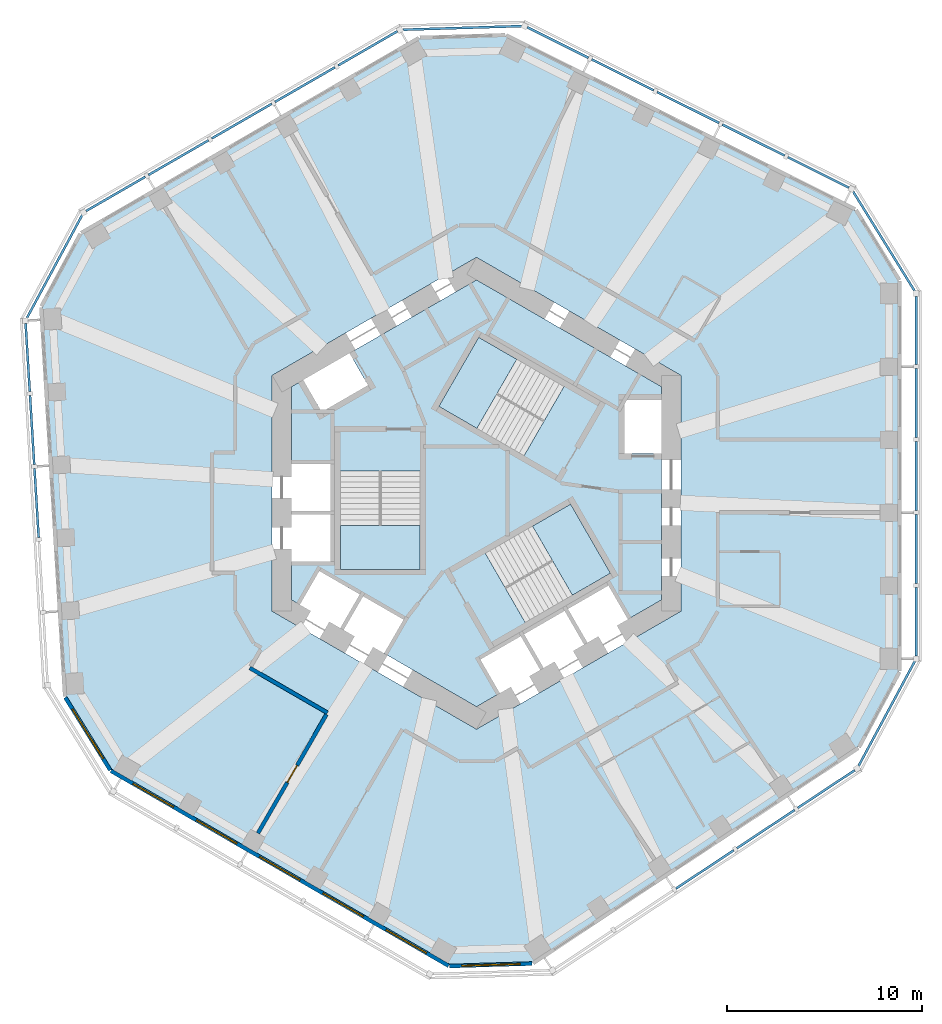
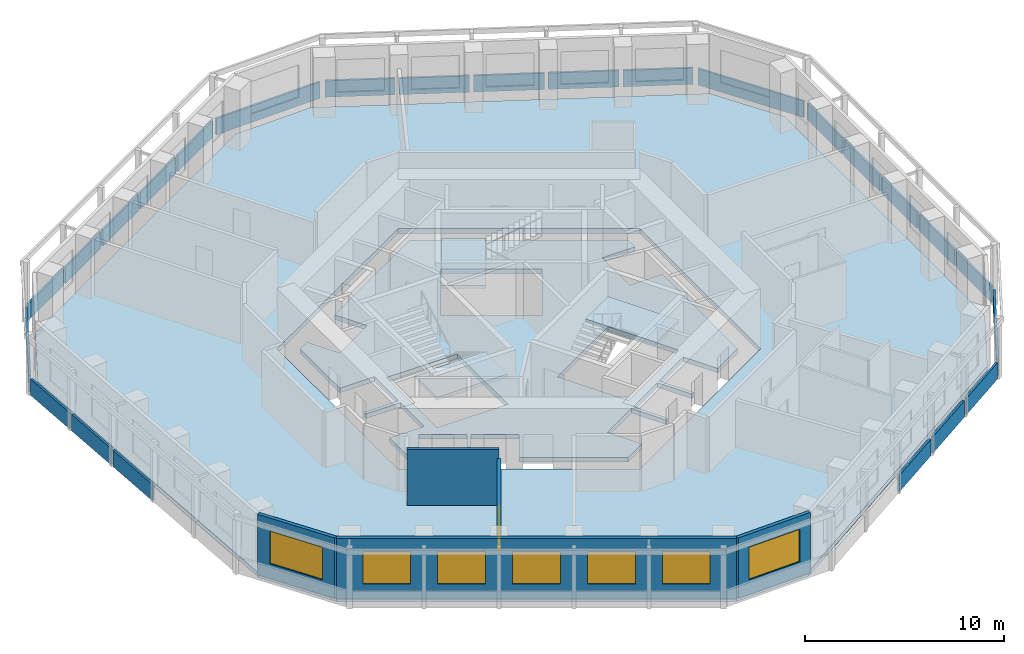
# One storey, part 3 of 10: 25 plates, 7 windows, 5 slabs, 5 walls, 1 door, 8 openings, 12 elements without a shape of their own.
"""IFC4 building model written with IfcOpenShell, lengths in metres."""

from ifc_helpers import new_model, si_unit, direction, frame, frame_2d, origin, origin_2d, place, context, subcontext, project, spatial, polyline, rectangle, outline, extrude, material, layer, layer_set, type_object, element, fill, aggregate, save


model = new_model("IFC4")

# Units and contexts
model_context = context("Model", 3, precision=1e-05, world=origin(), true_north=direction((0.0, 1.0)))
body_context = subcontext(model_context, "Body", "Model", "MODEL_VIEW")
ifc_project = project(units=[si_unit("LENGTHUNIT", "METRE"), si_unit("AREAUNIT", "SQUARE_METRE"), si_unit("VOLUMEUNIT", "CUBIC_METRE"), si_unit("PLANEANGLEUNIT", "RADIAN"), si_unit("MASSUNIT", "GRAM", prefix="KILO")], contexts=[model_context])

# Site, building, storey
site_placement = place(None, origin())
site = spatial("IfcSite", under=ifc_project, at=site_placement, CompositionType="ELEMENT")
building_placement = place(site_placement, origin())
building = spatial("IfcBuilding", under=site, at=building_placement, Name="Vanh Sen Convention Tower", CompositionType="ELEMENT")
storey_placement = place(building_placement, frame((0.0, 0.0, 194.699951171875)))
storey = spatial("IfcBuildingStorey", under=building, at=storey_placement, Name="L48", CompositionType="ELEMENT", Elevation=194.699951171875)

# Slabs
ifc_material_1 = material(Name="Concrete C40/50", Category="concrete")
ifc_layer_1 = layer(ifc_material_1, 0.280029296875)
ifc_layer_set_1 = layer_set([ifc_layer_1], Name="Concrete C40/50")
slab_type_1 = type_object("IfcSlabType", Name="Core slab 280", PredefinedType="FLOOR", material=ifc_layer_set_1)
slab_1_placement = place(storey_placement, frame((0.0, 0.0, -0.280029296875)))
element("IfcSlab", 1, at=slab_1_placement, inside=storey, type_object=slab_type_1, Name="Core slab L48", PredefinedType="FLOOR", context=body_context, shape_type="SweptSolid", body=[
    extrude(outline(polyline([(0.0, 10.9697265625), (9.5, 5.48486328125), (9.5, 4.800048828125), (7.60009765625, 4.800048828125), (7.60009765625, 2.050048828125), (9.5, 2.050048828125), (9.5, -5.48486328125), (7.781005859375, -6.477294921875), (6.781005859375, -4.7451171875), (4.70263671875, -5.9453125), (5.70263671875, -7.67724609375), (5.529296875, -7.777099609375), (4.529296875, -6.045166015625), (2.450927734375, -7.2451171875), (3.450927734375, -8.977294921875), (3.27783203125, -9.0771484375), (2.27783203125, -7.34521484375), (0.19921875, -8.545166015625), (1.19921875, -10.277099609375), (0.0, -10.9697265625), (-4.75, -8.227294921875), (-3.75, -6.4951171875), (-5.82861328125, -5.295166015625), (-6.82861328125, -7.027099609375), (-7.001708984375, -6.92724609375), (-6.001708984375, -5.1953125), (-8.080078125, -3.9951171875), (-9.080078125, -5.727294921875), (-9.5, -5.48486328125), (-9.5, -3.5), (-7.5, -3.5), (-7.5, -1.10009765625), (-9.5, -1.10009765625), (-9.5, -0.89990234375), (-7.5, -0.89990234375), (-7.5, 1.5), (-9.5, 1.5), (-9.5, 5.48486328125), (-8.906982421875, 5.8271484375), (-7.956787109375, 4.181884765625), (-5.575439453125, 5.556884765625), (-6.525390625, 7.2021484375), (0.0, 10.9697265625)]), holes=[polyline([(-7.0, 1.1494140625), (-7.0, -3.909912109375), (-2.89990234375, -3.909912109375), (-2.89990234375, 1.1494140625), (-7.0, 1.1494140625)]), polyline([(2.504638671875, -6.63671875), (6.88623046875, -4.107177734375), (4.836181640625, -0.556396484375), (0.45458984375, -3.086181640625), (2.504638671875, -6.63671875)]), polyline([(0.11376953125, 8.01708984375), (-1.936279296875, 4.466552734375), (2.4453125, 1.936767578125), (4.495361328125, 5.487548828125), (0.11376953125, 8.01708984375)])]), origin(), (0.0, 0.0, 1.0), 0.280029296875),
])
ifc_layer_2 = layer(ifc_material_1, 0.280029296875)
ifc_layer_set_2 = layer_set([ifc_layer_2], Name="Concrete C40/50")
slab_type_2 = type_object("IfcSlabType", Name="Floor slab 280 REI 120", PredefinedType="FLOOR", material=ifc_layer_set_2)
slab_2_placement = place(storey_placement, frame((0.0, 0.0, -0.280029296875)))
element("IfcSlab", 2, at=slab_2_placement, inside=storey, type_object=slab_type_2, Name="Floor slab L48 tower", PredefinedType="FLOOR", context=body_context, shape_type="SweptSolid", body=[
    extrude(outline(polyline([(21.699951171875, -9.15087890625), (21.699951171875, 10.91943359375), (19.454833984375, 14.5478515625), (1.492919921875, 23.503173828125), (-2.925048828125, 23.368408203125), (-20.306640625, 13.3330078125), (-22.326171875, 9.574462890625), (-21.100830078125, -10.458740234375), (-18.77490234375, -14.21728515625), (-1.393310546875, -24.25244140625), (2.871337890625, -24.122314453125), (19.60791015625, -13.04443359375), (21.699951171875, -9.15087890625)]), holes=[polyline([(0.0, 12.12451171875), (-10.5, 6.062255859375), (-10.5, -6.062255859375), (0.0, -12.12451171875), (10.5, -6.062255859375), (10.5, 6.062255859375), (0.0, 12.12451171875)])]), origin(), (0.0, 0.0, 1.0), 0.280029296875),
])

# Curtain wall, plates
ifc_material_2 = material(Name="Concrete C50/60", Category="concrete")
curtain_wall_type = type_object("IfcCurtainWallType", Name="Outer skin office zone", PredefinedType="NOTDEFINED", material=ifc_material_2)
curtain_wall_1_placement = place(storey_placement, origin())
curtain_wall_1 = element("IfcCurtainWall", 3, at=curtain_wall_1_placement, inside=storey, type_object=curtain_wall_type, Name="OUTER SKIN E L48", PredefinedType="NOTDEFINED")
ifc_layer_3 = layer(ifc_material_2, 0.1201171875)
ifc_layer_set_3 = layer_set([ifc_layer_3], Name="Concrete C50/60")
plate_type = type_object("IfcPlateType", Name="Outer skin precast screen panel 120", PredefinedType="CURTAIN_PANEL", material=ifc_layer_set_3)
plate_1_placement = place(storey_placement, frame((22.60009765625, -6.59912109375, 0.0), z_axis=(0.0, 0.0, 1.0), x_axis=(0.0, 1.0, 0.0)))
plate_1 = element("IfcPlate", 4, at=plate_1_placement, type_object=plate_type, Name="OUTER SKIN screen panel E-1", PredefinedType="CURTAIN_PANEL", context=body_context, shape_type="SweptSolid", body=[
    extrude(rectangle(XDim=3.504150390625, YDim=0.1201171875, at=origin_2d()), origin(), (0.0, 0.0, 1.0), 1.0),
])
plate_2_placement = place(storey_placement, frame((22.60009765625, -2.869873046875, 0.0), z_axis=(0.0, 0.0, 1.0), x_axis=(0.0, 1.0, 0.0)))
plate_2 = element("IfcPlate", 5, at=plate_2_placement, type_object=plate_type, Name="OUTER SKIN screen panel E-2", PredefinedType="CURTAIN_PANEL", context=body_context, shape_type="SweptSolid", body=[
    extrude(rectangle(XDim=3.55419921875, YDim=0.1201171875, at=origin_2d()), origin(), (0.0, 0.0, 1.0), 1.0),
])
plate_3_placement = place(storey_placement, frame((22.60009765625, 0.88427734375, 0.0), z_axis=(0.0, 0.0, 1.0), x_axis=(0.0, 1.0, 0.0)))
plate_3 = element("IfcPlate", 6, at=plate_3_placement, type_object=plate_type, Name="OUTER SKIN screen panel E-3", PredefinedType="CURTAIN_PANEL", context=body_context, shape_type="SweptSolid", body=[
    extrude(rectangle(XDim=3.55419921875, YDim=0.1201171875, at=origin_2d()), origin(), (0.0, 0.0, 1.0), 1.0),
])
plate_4_placement = place(storey_placement, frame((22.60009765625, 4.63818359375, 0.0), z_axis=(0.0, 0.0, 1.0), x_axis=(0.0, 1.0, 0.0)))
plate_4 = element("IfcPlate", 7, at=plate_4_placement, type_object=plate_type, Name="OUTER SKIN screen panel E-4", PredefinedType="CURTAIN_PANEL", context=body_context, shape_type="SweptSolid", body=[
    extrude(rectangle(XDim=3.55419921875, YDim=0.1201171875, at=origin_2d()), origin(), (0.0, 0.0, 1.0), 1.0),
])
plate_5_placement = place(storey_placement, frame((22.60009765625, 8.367431640625, 0.0), z_axis=(0.0, 0.0, 1.0), x_axis=(0.0, 1.0, 0.0)))
plate_5 = element("IfcPlate", 8, at=plate_5_placement, type_object=plate_type, Name="OUTER SKIN screen panel E-5", PredefinedType="CURTAIN_PANEL", context=body_context, shape_type="SweptSolid", body=[
    extrude(rectangle(XDim=3.504150390625, YDim=0.1201171875, at=origin_2d()), origin(), (0.0, 0.0, 1.0), 1.0),
])
aggregate(curtain_wall_1, [plate_1, plate_2, plate_3, plate_4, plate_5])

# Curtain wall, plate
curtain_wall_2_placement = place(storey_placement, origin())
curtain_wall_2 = element("IfcCurtainWall", 9, at=curtain_wall_2_placement, inside=storey, type_object=curtain_wall_type, Name="OUTER SKIN CH1 L48", PredefinedType="NOTDEFINED")
plate_6_placement = place(storey_placement, frame((20.937255859375, 12.956298828125, 0.0), z_axis=(0.0, 0.0, 1.0), x_axis=(-0.5262035346, 0.850358653848, 0.0)))
plate_6 = element("IfcPlate", 10, at=plate_6_placement, type_object=plate_type, Name="OUTER SKIN screen panel CH1-1", PredefinedType="CURTAIN_PANEL", context=body_context, shape_type="SweptSolid", body=[
    extrude(rectangle(XDim=6.01953125, YDim=0.1201171875, at=origin_2d()), origin(), (0.0, 0.0, 1.0), 1.0),
])
aggregate(curtain_wall_2, [plate_6])

# Curtain wall, plates
curtain_wall_3_placement = place(storey_placement, origin())
curtain_wall_3 = element("IfcCurtainWall", 11, at=curtain_wall_3_placement, inside=storey, type_object=curtain_wall_type, Name="OUTER SKIN NE L48", PredefinedType="NOTDEFINED")
plate_7_placement = place(storey_placement, frame((17.572509765625, 16.491943359375, 0.0), z_axis=(0.0, 0.0, 1.0), x_axis=(-0.894943706551, 0.446179069551, 0.0)))
plate_7 = element("IfcPlate", 12, at=plate_7_placement, type_object=plate_type, Name="OUTER SKIN screen panel NE-1", PredefinedType="CURTAIN_PANEL", context=body_context, shape_type="SweptSolid", body=[
    extrude(rectangle(XDim=3.504150390625, YDim=0.1201171875, at=origin_2d()), origin(), (0.0, 0.0, 1.0), 1.0),
])
plate_8_placement = place(storey_placement, frame((14.235107421875, 18.156005859375, 0.0), z_axis=(0.0, 0.0, 1.0), x_axis=(-0.894932804072, 0.446200937017, 0.0)))
plate_8 = element("IfcPlate", 13, at=plate_8_placement, type_object=plate_type, Name="OUTER SKIN screen panel NE-2", PredefinedType="CURTAIN_PANEL", context=body_context, shape_type="SweptSolid", body=[
    extrude(rectangle(XDim=3.55419921875, YDim=0.1201171875, at=origin_2d()), origin(), (0.0, 0.0, 1.0), 1.0),
])
plate_9_placement = place(storey_placement, frame((10.87548828125, 19.8310546875, 0.0), z_axis=(0.0, 0.0, 1.0), x_axis=(-0.894932804072, 0.446200937017, 0.0)))
plate_9 = element("IfcPlate", 14, at=plate_9_placement, type_object=plate_type, Name="OUTER SKIN screen panel NE-3", PredefinedType="CURTAIN_PANEL", context=body_context, shape_type="SweptSolid", body=[
    extrude(rectangle(XDim=3.55419921875, YDim=0.1201171875, at=origin_2d()), origin(), (0.0, 0.0, 1.0), 1.0),
])
plate_10_placement = place(storey_placement, frame((7.515625, 21.506103515625, 0.0), z_axis=(0.0, 0.0, 1.0), x_axis=(-0.894932804072, 0.446200937017, 0.0)))
plate_10 = element("IfcPlate", 15, at=plate_10_placement, type_object=plate_type, Name="OUTER SKIN screen panel NE-4", PredefinedType="CURTAIN_PANEL", context=body_context, shape_type="SweptSolid", body=[
    extrude(rectangle(XDim=3.55419921875, YDim=0.1201171875, at=origin_2d()), origin(), (0.0, 0.0, 1.0), 1.0),
])
plate_11_placement = place(storey_placement, frame((4.178466796875, 23.169921875, 0.0), z_axis=(0.0, 0.0, 1.0), x_axis=(-0.894943706551, 0.446179069551, 0.0)))
plate_11 = element("IfcPlate", 16, at=plate_11_placement, type_object=plate_type, Name="OUTER SKIN screen panel NE-5", PredefinedType="CURTAIN_PANEL", context=body_context, shape_type="SweptSolid", body=[
    extrude(rectangle(XDim=3.504150390625, YDim=0.1201171875, at=origin_2d()), origin(), (0.0, 0.0, 1.0), 1.0),
])
aggregate(curtain_wall_3, [plate_7, plate_8, plate_9, plate_10, plate_11])

# Curtain wall, plate
curtain_wall_4_placement = place(storey_placement, origin())
curtain_wall_4 = element("IfcCurtainWall", 17, at=curtain_wall_4_placement, inside=storey, type_object=curtain_wall_type, Name="OUTER SKIN CH2 L48", PredefinedType="NOTDEFINED")
plate_12_placement = place(storey_placement, frame((-0.73095703125, 23.920654296875, 0.0), z_axis=(0.0, 0.0, 1.0), x_axis=(-0.999533590837, -0.03053851321, 0.0)))
plate_12 = element("IfcPlate", 18, at=plate_12_placement, type_object=plate_type, Name="OUTER SKIN screen panel CH2-1", PredefinedType="CURTAIN_PANEL", context=body_context, shape_type="SweptSolid", body=[
    extrude(rectangle(XDim=6.1171875, YDim=0.1201171875, at=origin_2d()), origin(), (0.0, 0.0, 1.0), 1.0),
])
aggregate(curtain_wall_4, [plate_12])

# Curtain wall, plates
curtain_wall_5_placement = place(storey_placement, origin())
curtain_wall_5 = element("IfcCurtainWall", 19, at=curtain_wall_5_placement, inside=storey, type_object=curtain_wall_type, Name="OUTER SKIN NW L48", PredefinedType="NOTDEFINED")
plate_13_placement = place(storey_placement, frame((-5.585205078125, 22.87158203125, 0.0), z_axis=(0.0, 0.0, 1.0), x_axis=(-0.866035002936, -0.499983373414, 0.0)))
plate_13 = element("IfcPlate", 20, at=plate_13_placement, type_object=plate_type, Name="OUTER SKIN screen panel NW-1", PredefinedType="CURTAIN_PANEL", context=body_context, shape_type="SweptSolid", body=[
    extrude(rectangle(XDim=3.504150390625, YDim=0.1201171875, at=origin_2d()), origin(), (0.0, 0.0, 1.0), 1.0),
])
plate_14_placement = place(storey_placement, frame((-8.814697265625, 21.007080078125, 0.0), z_axis=(0.0, 0.0, 1.0), x_axis=(-0.866016677006, -0.500015114919, 0.0)))
plate_14 = element("IfcPlate", 21, at=plate_14_placement, type_object=plate_type, Name="OUTER SKIN screen panel NW-2", PredefinedType="CURTAIN_PANEL", context=body_context, shape_type="SweptSolid", body=[
    extrude(rectangle(XDim=3.55419921875, YDim=0.1201171875, at=origin_2d()), origin(), (0.0, 0.0, 1.0), 1.0),
])
plate_15_placement = place(storey_placement, frame((-12.06591796875, 19.1298828125, 0.0), z_axis=(0.0, 0.0, 1.0), x_axis=(-0.866035002936, -0.499983373414, 0.0)))
plate_15 = element("IfcPlate", 22, at=plate_15_placement, type_object=plate_type, Name="OUTER SKIN screen panel NW-3", PredefinedType="CURTAIN_PANEL", context=body_context, shape_type="SweptSolid", body=[
    extrude(rectangle(XDim=3.55419921875, YDim=0.1201171875, at=origin_2d()), origin(), (0.0, 0.0, 1.0), 1.0),
])
plate_16_placement = place(storey_placement, frame((-15.31689453125, 17.2529296875, 0.0), z_axis=(0.0, 0.0, 1.0), x_axis=(-0.866016677006, -0.500015114919, 0.0)))
plate_16 = element("IfcPlate", 23, at=plate_16_placement, type_object=plate_type, Name="OUTER SKIN screen panel NW-4", PredefinedType="CURTAIN_PANEL", context=body_context, shape_type="SweptSolid", body=[
    extrude(rectangle(XDim=3.55419921875, YDim=0.1201171875, at=origin_2d()), origin(), (0.0, 0.0, 1.0), 1.0),
])
plate_17_placement = place(storey_placement, frame((-18.54638671875, 15.388427734375, 0.0), z_axis=(0.0, 0.0, 1.0), x_axis=(-0.866035002936, -0.499983373414, 0.0)))
plate_17 = element("IfcPlate", 24, at=plate_17_placement, type_object=plate_type, Name="OUTER SKIN screen panel NW-5", PredefinedType="CURTAIN_PANEL", context=body_context, shape_type="SweptSolid", body=[
    extrude(rectangle(XDim=3.504150390625, YDim=0.1201171875, at=origin_2d()), origin(), (0.0, 0.0, 1.0), 1.0),
])
aggregate(curtain_wall_5, [plate_13, plate_14, plate_15, plate_16, plate_17])

# Curtain wall, plate
curtain_wall_6_placement = place(storey_placement, origin())
curtain_wall_6 = element("IfcCurtainWall", 25, at=curtain_wall_6_placement, inside=storey, type_object=curtain_wall_type, Name="OUTER SKIN CH3 L48", PredefinedType="NOTDEFINED")
plate_18_placement = place(storey_placement, frame((-21.689208984375, 11.654052734375, 0.0), z_axis=(0.0, 0.0, 1.0), x_axis=(-0.47331812974, -0.880891564303, 0.0)))
plate_18 = element("IfcPlate", 26, at=plate_18_placement, type_object=plate_type, Name="OUTER SKIN screen panel CH3-1", PredefinedType="CURTAIN_PANEL", context=body_context, shape_type="SweptSolid", body=[
    extrude(rectangle(XDim=6.019287109375, YDim=0.1201171875, at=origin_2d()), origin(), (0.0, 0.0, 1.0), 1.0),
])
aggregate(curtain_wall_6, [plate_18])

# Curtain wall, plates
curtain_wall_7_placement = place(storey_placement, origin())
curtain_wall_7 = element("IfcCurtainWall", 27, at=curtain_wall_7_placement, inside=storey, type_object=curtain_wall_type, Name="OUTER SKIN W L48", PredefinedType="NOTDEFINED")
plate_19_placement = place(storey_placement, frame((-23.068603515625, 6.97216796875, 0.0), z_axis=(0.0, 0.0, 1.0), x_axis=(0.061053765756, -0.998134478759, 0.0)))
plate_19 = element("IfcPlate", 28, at=plate_19_placement, type_object=plate_type, Name="OUTER SKIN screen panel W-1", PredefinedType="CURTAIN_PANEL", context=body_context, shape_type="SweptSolid", body=[
    extrude(rectangle(XDim=3.504150390625, YDim=0.1201171875, at=origin_2d()), origin(), (0.0, 0.0, 1.0), 1.0),
])
plate_20_placement = place(storey_placement, frame((-22.841064453125, 3.25, 0.0), z_axis=(0.0, 0.0, 1.0), x_axis=(0.061052023682, -0.998134585316, 0.0)))
plate_20 = element("IfcPlate", 29, at=plate_20_placement, type_object=plate_type, Name="OUTER SKIN screen panel W-2", PredefinedType="CURTAIN_PANEL", context=body_context, shape_type="SweptSolid", body=[
    extrude(rectangle(XDim=3.55419921875, YDim=0.1201171875, at=origin_2d()), origin(), (0.0, 0.0, 1.0), 1.0),
])
plate_21_placement = place(storey_placement, frame((-22.61181640625, -0.4970703125, 0.0), z_axis=(0.0, 0.0, 1.0), x_axis=(0.061053765756, -0.998134478759, 0.0)))
plate_21 = element("IfcPlate", 30, at=plate_21_placement, type_object=plate_type, Name="OUTER SKIN screen panel W-3", PredefinedType="CURTAIN_PANEL", context=body_context, shape_type="SweptSolid", body=[
    extrude(rectangle(XDim=3.55419921875, YDim=0.1201171875, at=origin_2d()), origin(), (0.0, 0.0, 1.0), 1.0),
])
aggregate(curtain_wall_7, [plate_19, plate_20, plate_21])

curtain_wall_8_placement = place(storey_placement, origin())
curtain_wall_8 = element("IfcCurtainWall", 31, at=curtain_wall_8_placement, inside=storey, type_object=curtain_wall_type, Name="OUTER SKIN SE L48", PredefinedType="NOTDEFINED")
plate_22_placement = place(storey_placement, frame((11.736328125, -19.333984375, 0.0), z_axis=(0.0, 0.0, 1.0), x_axis=(0.833877152158, 0.551950083892, 0.0)))
plate_22 = element("IfcPlate", 32, at=plate_22_placement, type_object=plate_type, Name="OUTER SKIN screen panel SE-3", PredefinedType="CURTAIN_PANEL", context=body_context, shape_type="SweptSolid", body=[
    extrude(rectangle(XDim=3.55419921875, YDim=0.1201171875, at=origin_2d()), origin(), (0.0, 0.0, 1.0), 1.0),
])
plate_23_placement = place(storey_placement, frame((14.866943359375, -17.26171875, 0.0), z_axis=(0.0, 0.0, 1.0), x_axis=(0.833889675294, 0.551931163677, 0.0)))
plate_23 = element("IfcPlate", 33, at=plate_23_placement, type_object=plate_type, Name="OUTER SKIN screen panel SE-4", PredefinedType="CURTAIN_PANEL", context=body_context, shape_type="SweptSolid", body=[
    extrude(rectangle(XDim=3.55419921875, YDim=0.1201171875, at=origin_2d()), origin(), (0.0, 0.0, 1.0), 1.0),
])
plate_24_placement = place(storey_placement, frame((17.9765625, -15.20361328125, 0.0), z_axis=(0.0, 0.0, 1.0), x_axis=(0.833889675294, 0.551931163677, 0.0)))
plate_24 = element("IfcPlate", 34, at=plate_24_placement, type_object=plate_type, Name="OUTER SKIN screen panel SE-5", PredefinedType="CURTAIN_PANEL", context=body_context, shape_type="SweptSolid", body=[
    extrude(rectangle(XDim=3.504150390625, YDim=0.1201171875, at=origin_2d()), origin(), (0.0, 0.0, 1.0), 1.0),
])
aggregate(curtain_wall_8, [plate_22, plate_23, plate_24])

# Curtain wall, plate
curtain_wall_9_placement = place(storey_placement, origin())
curtain_wall_9 = element("IfcCurtainWall", 35, at=curtain_wall_9_placement, inside=storey, type_object=curtain_wall_type, Name="OUTER SKIN CH6 L48", PredefinedType="NOTDEFINED")
plate_25_placement = place(storey_placement, frame((21.081298828125, -11.327392578125, 0.0), z_axis=(0.0, 0.0, 1.0), x_axis=(0.473321204628, 0.880889912105, 0.0)))
plate_25 = element("IfcPlate", 36, at=plate_25_placement, type_object=plate_type, Name="OUTER SKIN screen panel CH6-1", PredefinedType="CURTAIN_PANEL", context=body_context, shape_type="SweptSolid", body=[
    extrude(rectangle(XDim=6.1171875, YDim=0.1201171875, at=origin_2d()), origin(), (0.0, 0.0, 1.0), 1.0),
])
aggregate(curtain_wall_9, [plate_25])

# Stair, slab
ifc_material_3 = material(Name="Concrete C50/60", Category="concrete")
stair_type_1 = type_object("IfcStairType", Name="Exit stair ST1 22 risers at 168.2", PredefinedType="HALF_TURN_STAIR", material=ifc_material_3)
stair_1_placement = place(storey_placement, origin())
stair_1 = element("IfcStair", 37, at=stair_1_placement, inside=storey, type_object=stair_type_1, Name="Exit stair ST1 L48", PredefinedType="HALF_TURN_STAIR")
ifc_layer_4 = layer(ifc_material_1, 0.199951171875)
ifc_layer_set_4 = layer_set([ifc_layer_4], Name="Concrete C40/50")
slab_type_3 = type_object("IfcSlabType", Name="Stair landing 200", PredefinedType="LANDING", material=ifc_layer_set_4)
slab_3_placement = place(storey_placement, frame((0.0, 0.0, 1.650146484375)))
slab_3 = element("IfcSlab", 38, at=slab_3_placement, type_object=slab_type_3, Name="ST1 landing 1", PredefinedType="LANDING", context=body_context, shape_type="SweptSolid", body=[
    extrude(outline(polyline([(2.07177734375, 6.88671875), (0.11376953125, 8.01708984375), (-1.936279296875, 4.466552734375), (0.021728515625, 3.336181640625), (2.07177734375, 6.88671875)])), origin(), (0.0, 0.0, 1.0), 0.199951171875),
])
aggregate(stair_1, [slab_3])

stair_type_2 = type_object("IfcStairType", Name="Exit stair ST2 22 risers at 168.2", PredefinedType="HALF_TURN_STAIR", material=ifc_material_3)
stair_2_placement = place(storey_placement, origin())
stair_2 = element("IfcStair", 39, at=stair_2_placement, inside=storey, type_object=stair_type_2, Name="Exit stair ST2 L48", PredefinedType="HALF_TURN_STAIR")
slab_4_placement = place(storey_placement, frame((0.0, 0.0, 1.650146484375)))
slab_4 = element("IfcSlab", 40, at=slab_4_placement, type_object=slab_type_3, Name="ST2 landing 1", PredefinedType="LANDING", context=body_context, shape_type="SweptSolid", body=[
    extrude(outline(polyline([(-7.0, -1.6494140625), (-7.0, -3.909912109375), (-2.89990234375, -3.909912109375), (-2.89990234375, -1.6494140625), (-7.0, -1.6494140625)])), origin(), (0.0, 0.0, 1.0), 0.199951171875),
])
aggregate(stair_2, [slab_4])

stair_type_3 = type_object("IfcStairType", Name="Exit stair ST3 22 risers at 168.2", PredefinedType="HALF_TURN_STAIR", material=ifc_material_3)
stair_3_placement = place(storey_placement, origin())
stair_3 = element("IfcStair", 41, at=stair_3_placement, inside=storey, type_object=stair_type_3, Name="Exit stair ST3 L48", PredefinedType="HALF_TURN_STAIR")
slab_5_placement = place(storey_placement, frame((0.0, 0.0, 1.650146484375)))
slab_5 = element("IfcSlab", 42, at=slab_5_placement, type_object=slab_type_3, Name="ST3 landing 1", PredefinedType="LANDING", context=body_context, shape_type="SweptSolid", body=[
    extrude(outline(polyline([(4.92822265625, -5.237548828125), (6.88623046875, -4.107177734375), (4.836181640625, -0.556396484375), (2.87841796875, -1.686767578125), (4.92822265625, -5.237548828125)])), origin(), (0.0, 0.0, 1.0), 0.199951171875),
])
aggregate(stair_3, [slab_5])

# Wall
ifc_material_4 = material(Name="Gypsum board on steel studs with mineral wool", Category="steel")
ifc_layer_5 = layer(ifc_material_4, 0.199951171875)
ifc_layer_set_5 = layer_set([ifc_layer_5], Name="Gypsum board on steel studs with mineral wool")
wall_type_1 = type_object("IfcWallType", Name="Corridor partition wall 200", PredefinedType="PARTITIONING", material=ifc_layer_set_5)
wall_1_placement = place(storey_placement, frame((-11.651123046875, -8.978271484375, 0.0), z_axis=(0.0, 0.0, 1.0), x_axis=(0.866010893236, -0.500025132165, 0.0)))
element("IfcWall", 43, at=wall_1_placement, inside=storey, type_object=wall_type_1, Name="Corridor partition wall 200", PredefinedType="PARTITIONING", context=body_context, shape_type="SweptSolid", body=[
    extrude(rectangle(XDim=4.608154296875, YDim=0.199951171875, at=frame_2d((2.30419921875, 0.0))), origin(), (0.0, 0.0, 1.0), 3.420166015625),
])

# Wall, opening, door
wall_2_placement = place(storey_placement, frame((-11.23486328125, -17.4736328125, 0.0), z_axis=(0.0, 0.0, 1.0), x_axis=(0.500009260695, 0.866020057054, 0.0)))
wall_2 = element("IfcWall", 44, at=wall_2_placement, inside=storey, type_object=wall_type_1, Name="Corridor partition wall 200", PredefinedType="PARTITIONING", context=body_context, shape_type="SweptSolid", body=[
    extrude(rectangle(XDim=7.049072265625, YDim=0.199951171875, at=frame_2d((3.5244140625, 0.0))), origin(), (0.0, 0.0, 1.0), 2.8701171875),
])
opening_1_placement = place(wall_2_placement, frame((3.0244140625, 0.0, 0.0)))
opening_1 = element("IfcOpeningElement", 45, at=opening_1_placement, cuts=wall_2, Name="Opening D47105", PredefinedType="OPENING", context=body_context, shape_type="SweptSolid", body=[
    extrude(rectangle(XDim=1.0, YDim=2.10009765625, at=frame_2d((0.5, 1.050048828125))), frame((0.0, 0.10986328125, 0.0), z_axis=(0.0, -1.0, 0.0), x_axis=(1.0, 0.0, 0.0)), (0.0, 0.0, 1.0), 0.219970703125),
])
ifc_material_5 = material(Name="Timber fire door in steel frame", Category="steel")
door_type = type_object("IfcDoorType", Name="Floor room door 1000", OperationType="SINGLE_SWING_LEFT", PredefinedType="DOOR", material=ifc_material_5)
door_placement = place(opening_1_placement, origin())
door = element("IfcDoor", 46, at=door_placement, inside=storey, type_object=door_type, Name="Meeting and amenity room door D47105", OperationType="SINGLE_SWING_LEFT", OverallHeight=2.10009765625, OverallWidth=1.0, PredefinedType="DOOR", context=body_context, shape_type="SweptSolid", body=[
    extrude(rectangle(XDim=1.0, YDim=2.10009765625, at=frame_2d((0.5, 1.050048828125))), frame((0.0, 0.02490234375, 0.0), z_axis=(0.0, -1.0, 0.0), x_axis=(1.0, 0.0, 0.0)), (0.0, 0.0, 1.0), 0.050048828125),
])
fill(opening_1, door)

# Wall, opening, window
ifc_material_6 = material(Name="Insulated lightweight infill wall")
ifc_layer_6 = layer(ifc_material_6, 0.199951171875)
ifc_layer_set_6 = layer_set([ifc_layer_6], Name="Insulated lightweight infill wall")
wall_type_2 = type_object("IfcWallType", Name="External wall 200", PredefinedType="STANDARD", material=ifc_layer_set_6)
wall_3_placement = place(storey_placement, frame((-21.13671875, -10.49560546875, 0.0), z_axis=(0.0, 0.0, 1.0), x_axis=(0.526178661629, -0.850374044786, 0.0)))
wall_3 = element("IfcWall", 47, at=wall_3_placement, inside=storey, type_object=wall_type_2, Name="External wall CH4 L48", PredefinedType="STANDARD", context=body_context, shape_type="SweptSolid", body=[
    extrude(rectangle(XDim=4.394775390625, YDim=0.199951171875, at=frame_2d((2.197265625, 0.0))), origin(), (0.0, 0.0, 1.0), 3.699951171875),
])
opening_2_placement = place(wall_3_placement, frame((0.697509765625, 0.0, 0.89990234375)))
opening_2 = element("IfcOpeningElement", 48, at=opening_2_placement, cuts=wall_3, Name="Opening WO2-CH41", PredefinedType="OPENING", context=body_context, shape_type="SweptSolid", body=[
    extrude(rectangle(XDim=3.0, YDim=2.0, at=frame_2d((1.5, 1.0))), frame((0.0, 0.10986328125, 0.0), z_axis=(0.0, -1.0, 0.0), x_axis=(1.0, 0.0, 0.0)), (0.0, 0.0, 1.0), 0.219970703125),
])
ifc_material_7 = material(Name="Aluminium frame with clear low-emissivity glass", Category="aluminium")
window_type_1 = type_object("IfcWindowType", Name="Office window 3000 x 2000", PartitioningType="SINGLE_PANEL", PredefinedType="WINDOW", material=ifc_material_7)
window_1_placement = place(opening_2_placement, origin())
window_1 = element("IfcWindow", 49, at=window_1_placement, inside=storey, type_object=window_type_1, Name="Window WO2-CH41", OverallHeight=2.0, OverallWidth=3.0, PartitioningType="SINGLE_PANEL", PredefinedType="WINDOW", context=body_context, shape_type="SweptSolid", body=[
    extrude(rectangle(XDim=3.0, YDim=2.0, at=frame_2d((1.5, 1.0))), frame((0.0, 0.030029296875, 0.0), z_axis=(0.0, -1.0, 0.0), x_axis=(1.0, 0.0, 0.0)), (0.0, 0.0, 1.0), 0.06005859375),
])
fill(opening_2, window_1)

# Wall, openings, windows
wall_4_placement = place(storey_placement, frame((-18.7890625, -14.266845703125, 0.0), z_axis=(0.0, 0.0, 1.0), x_axis=(0.866023315909, -0.500003616288, 0.0)))
wall_4 = element("IfcWall", 50, at=wall_4_placement, inside=storey, type_object=wall_type_2, Name="External wall SW L48", PredefinedType="STANDARD", context=body_context, shape_type="SweptSolid", body=[
    extrude(rectangle(XDim=20.043701171875, YDim=0.199951171875, at=frame_2d((10.02197265625, 0.0))), origin(), (0.0, 0.0, 1.0), 3.699951171875),
])
opening_3_placement = place(wall_4_placement, frame((1.314453125, 0.0, 0.89990234375)))
opening_3 = element("IfcOpeningElement", 51, at=opening_3_placement, cuts=wall_4, Name="Opening WO1-SW1", PredefinedType="OPENING", context=body_context, shape_type="SweptSolid", body=[
    extrude(rectangle(XDim=2.39990234375, YDim=2.0, at=frame_2d((1.199951171875, 1.0))), frame((0.0, 0.10986328125, 0.0), z_axis=(0.0, -1.0, 0.0), x_axis=(1.0, 0.0, 0.0)), (0.0, 0.0, 1.0), 0.219970703125),
])
opening_4_placement = place(wall_4_placement, frame((5.068603515625, 0.0, 0.89990234375)))
opening_4 = element("IfcOpeningElement", 52, at=opening_4_placement, cuts=wall_4, Name="Opening WO1-SW2", PredefinedType="OPENING", context=body_context, shape_type="SweptSolid", body=[
    extrude(rectangle(XDim=2.39990234375, YDim=2.0, at=frame_2d((1.199951171875, 1.0))), frame((0.0, 0.10986328125, 0.0), z_axis=(0.0, -1.0, 0.0), x_axis=(1.0, 0.0, 0.0)), (0.0, 0.0, 1.0), 0.219970703125),
])
opening_5_placement = place(wall_4_placement, frame((8.82275390625, 0.0, 0.89990234375)))
opening_5 = element("IfcOpeningElement", 53, at=opening_5_placement, cuts=wall_4, Name="Opening WO1-SW3", PredefinedType="OPENING", context=body_context, shape_type="SweptSolid", body=[
    extrude(rectangle(XDim=2.39990234375, YDim=2.0, at=frame_2d((1.199951171875, 1.0))), frame((0.0, 0.10986328125, 0.0), z_axis=(0.0, -1.0, 0.0), x_axis=(1.0, 0.0, 0.0)), (0.0, 0.0, 1.0), 0.219970703125),
])
opening_6_placement = place(wall_4_placement, frame((12.576904296875, 0.0, 0.89990234375)))
opening_6 = element("IfcOpeningElement", 54, at=opening_6_placement, cuts=wall_4, Name="Opening WO1-SW4", PredefinedType="OPENING", context=body_context, shape_type="SweptSolid", body=[
    extrude(rectangle(XDim=2.39990234375, YDim=2.0, at=frame_2d((1.199951171875, 1.0))), frame((0.0, 0.10986328125, 0.0), z_axis=(0.0, -1.0, 0.0), x_axis=(1.0, 0.0, 0.0)), (0.0, 0.0, 1.0), 0.219970703125),
])
opening_7_placement = place(wall_4_placement, frame((16.330810546875, 0.0, 0.89990234375)))
opening_7 = element("IfcOpeningElement", 55, at=opening_7_placement, cuts=wall_4, Name="Opening WO1-SW5", PredefinedType="OPENING", context=body_context, shape_type="SweptSolid", body=[
    extrude(rectangle(XDim=2.39990234375, YDim=2.0, at=frame_2d((1.199951171875, 1.0))), frame((0.0, 0.10986328125, 0.0), z_axis=(0.0, -1.0, 0.0), x_axis=(1.0, 0.0, 0.0)), (0.0, 0.0, 1.0), 0.219970703125),
])
window_type_2 = type_object("IfcWindowType", Name="Office window 2400 x 2000", PartitioningType="SINGLE_PANEL", PredefinedType="WINDOW", material=ifc_material_7)
window_2_placement = place(opening_3_placement, origin())
window_2 = element("IfcWindow", 56, at=window_2_placement, inside=storey, type_object=window_type_2, Name="Window WO1-SW1", OverallHeight=2.0, OverallWidth=2.39990234375, PartitioningType="SINGLE_PANEL", PredefinedType="WINDOW", context=body_context, shape_type="SweptSolid", body=[
    extrude(rectangle(XDim=2.39990234375, YDim=2.0, at=frame_2d((1.199951171875, 1.0))), frame((0.0, 0.030029296875, 0.0), z_axis=(0.0, -1.0, 0.0), x_axis=(1.0, 0.0, 0.0)), (0.0, 0.0, 1.0), 0.06005859375),
])
fill(opening_3, window_2)
window_3_placement = place(opening_4_placement, origin())
window_3 = element("IfcWindow", 57, at=window_3_placement, inside=storey, type_object=window_type_2, Name="Window WO1-SW2", OverallHeight=2.0, OverallWidth=2.39990234375, PartitioningType="SINGLE_PANEL", PredefinedType="WINDOW", context=body_context, shape_type="SweptSolid", body=[
    extrude(rectangle(XDim=2.39990234375, YDim=2.0, at=frame_2d((1.199951171875, 1.0))), frame((0.0, 0.030029296875, 0.0), z_axis=(0.0, -1.0, 0.0), x_axis=(1.0, 0.0, 0.0)), (0.0, 0.0, 1.0), 0.06005859375),
])
fill(opening_4, window_3)
window_4_placement = place(opening_5_placement, origin())
window_4 = element("IfcWindow", 58, at=window_4_placement, inside=storey, type_object=window_type_2, Name="Window WO1-SW3", OverallHeight=2.0, OverallWidth=2.39990234375, PartitioningType="SINGLE_PANEL", PredefinedType="WINDOW", context=body_context, shape_type="SweptSolid", body=[
    extrude(rectangle(XDim=2.39990234375, YDim=2.0, at=frame_2d((1.199951171875, 1.0))), frame((0.0, 0.030029296875, 0.0), z_axis=(0.0, -1.0, 0.0), x_axis=(1.0, 0.0, 0.0)), (0.0, 0.0, 1.0), 0.06005859375),
])
fill(opening_5, window_4)
window_5_placement = place(opening_6_placement, origin())
window_5 = element("IfcWindow", 59, at=window_5_placement, inside=storey, type_object=window_type_2, Name="Window WO1-SW4", OverallHeight=2.0, OverallWidth=2.39990234375, PartitioningType="SINGLE_PANEL", PredefinedType="WINDOW", context=body_context, shape_type="SweptSolid", body=[
    extrude(rectangle(XDim=2.39990234375, YDim=2.0, at=frame_2d((1.199951171875, 1.0))), frame((0.0, 0.030029296875, 0.0), z_axis=(0.0, -1.0, 0.0), x_axis=(1.0, 0.0, 0.0)), (0.0, 0.0, 1.0), 0.06005859375),
])
fill(opening_6, window_5)
window_6_placement = place(opening_7_placement, origin())
window_6 = element("IfcWindow", 60, at=window_6_placement, inside=storey, type_object=window_type_2, Name="Window WO1-SW5", OverallHeight=2.0, OverallWidth=2.39990234375, PartitioningType="SINGLE_PANEL", PredefinedType="WINDOW", context=body_context, shape_type="SweptSolid", body=[
    extrude(rectangle(XDim=2.39990234375, YDim=2.0, at=frame_2d((1.199951171875, 1.0))), frame((0.0, 0.030029296875, 0.0), z_axis=(0.0, -1.0, 0.0), x_axis=(1.0, 0.0, 0.0)), (0.0, 0.0, 1.0), 0.06005859375),
])
fill(opening_7, window_6)

# Wall, opening, window
wall_5_placement = place(storey_placement, frame((-1.377685546875, -24.302001953125, 0.0), z_axis=(0.0, 0.0, 1.0), x_axis=(0.999533857267, 0.030529791629, 0.0)))
wall_5 = element("IfcWall", 61, at=wall_5_placement, inside=storey, type_object=wall_type_2, Name="External wall CH5 L48", PredefinedType="STANDARD", context=body_context, shape_type="SweptSolid", body=[
    extrude(rectangle(XDim=4.23828125, YDim=0.199951171875, at=frame_2d((2.119140625, 0.0))), origin(), (0.0, 0.0, 1.0), 3.699951171875),
])
opening_8_placement = place(wall_5_placement, frame((0.619140625, 0.0, 0.89990234375)))
opening_8 = element("IfcOpeningElement", 62, at=opening_8_placement, cuts=wall_5, Name="Opening WO2-CH51", PredefinedType="OPENING", context=body_context, shape_type="SweptSolid", body=[
    extrude(rectangle(XDim=3.0, YDim=2.0, at=frame_2d((1.5, 1.0))), frame((0.0, 0.10986328125, 0.0), z_axis=(0.0, -1.0, 0.0), x_axis=(1.0, 0.0, 0.0)), (0.0, 0.0, 1.0), 0.219970703125),
])
window_7_placement = place(opening_8_placement, origin())
window_7 = element("IfcWindow", 63, at=window_7_placement, inside=storey, type_object=window_type_1, Name="Window WO2-CH51", OverallHeight=2.0, OverallWidth=3.0, PartitioningType="SINGLE_PANEL", PredefinedType="WINDOW", context=body_context, shape_type="SweptSolid", body=[
    extrude(rectangle(XDim=3.0, YDim=2.0, at=frame_2d((1.5, 1.0))), frame((0.0, 0.030029296875, 0.0), z_axis=(0.0, -1.0, 0.0), x_axis=(1.0, 0.0, 0.0)), (0.0, 0.0, 1.0), 0.06005859375),
])
fill(opening_8, window_7)

save(model, "model.ifc")
